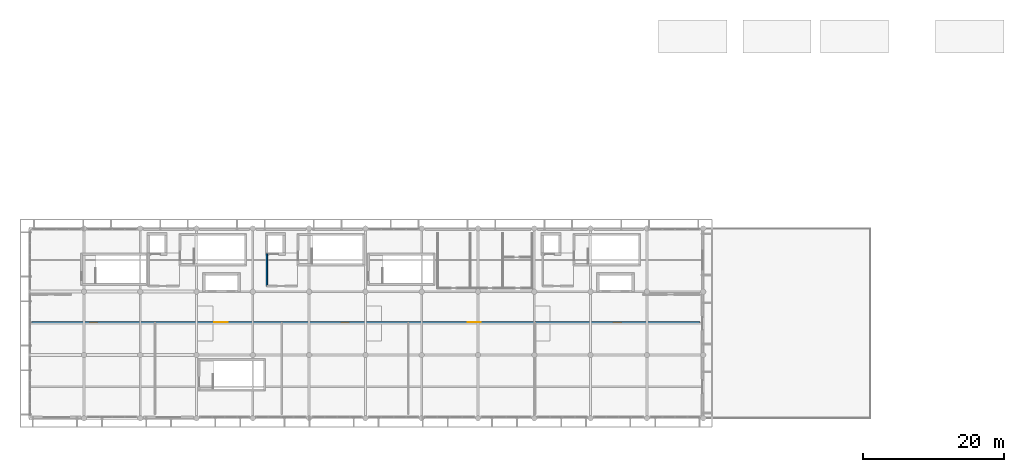
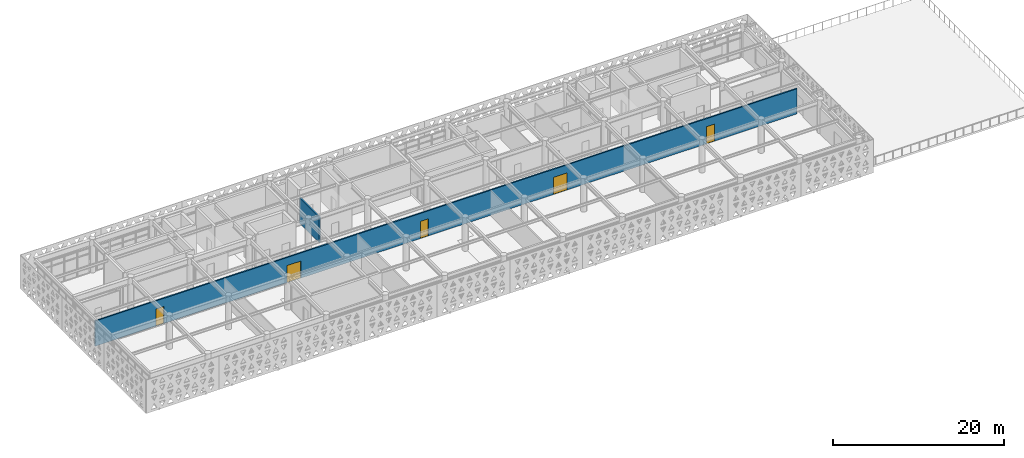
# One storey, part 19 of 26: 5 doors, 2 walls, 5 openings.
"""IFC4 building model written with IfcOpenShell, lengths in metres."""

from ifc_helpers import new_model, si_unit, direction, frame, frame_2d, origin, place, context, subcontext, project, spatial, rectangle, extrude, material, layer, layer_set, type_object, element, fill, save


model = new_model("IFC4")

# Units and contexts
model_context = context("Model", 3, precision=1e-05, world=origin(), true_north=direction((0.0, 1.0)))
body_context = subcontext(model_context, "Body", "Model", "MODEL_VIEW")
ifc_project = project(units=[si_unit("LENGTHUNIT", "METRE"), si_unit("AREAUNIT", "SQUARE_METRE"), si_unit("VOLUMEUNIT", "CUBIC_METRE"), si_unit("PLANEANGLEUNIT", "RADIAN"), si_unit("MASSUNIT", "GRAM", prefix="KILO")], contexts=[model_context])

# Site, building, storey
site_placement = place(None, origin())
site = spatial("IfcSite", under=ifc_project, at=site_placement, CompositionType="ELEMENT")
building_placement = place(site_placement, origin())
building = spatial("IfcBuilding", under=site, at=building_placement, Name="Tlacozan Convention Centre", CompositionType="ELEMENT")
storey_placement = place(building_placement, frame((0.0, 0.0, 21.0)))
storey = spatial("IfcBuildingStorey", under=building, at=storey_placement, Name="L04", CompositionType="ELEMENT", Elevation=21.0)

# Wall, openings, doors
ifc_material_1 = material(Name="Fire-Rated Gypsum Stud Partition Assembly")
ifc_layer_1 = layer(ifc_material_1, 0.179931640625)
ifc_layer_set_1 = layer_set([ifc_layer_1], Name="Fire-Rated Gypsum Stud Partition Assembly")
wall_type_1 = type_object("IfcWallType", Name="Corridor Rated Partition 180", PredefinedType="PARTITIONING", material=ifc_layer_set_1)
wall_1_placement = place(storey_placement, frame((0.60009765625, 13.64990234375, 0.0), z_axis=(0.0, 0.0, 1.0), x_axis=(1.0, 0.0, 0.0)))
wall_1 = element("IfcWall", 1, at=wall_1_placement, inside=storey, type_object=wall_type_1, Name="L04 Corridor Rated Partition 180 610", PredefinedType="PARTITIONING", context=body_context, shape_type="SweptSolid", body=[
    extrude(rectangle(XDim=94.89990234375, YDim=0.179931640625, at=frame_2d((47.449951171875, 0.0))), origin(), (0.0, 0.0, 1.0), 3.60009765625),
])
opening_1_placement = place(wall_1_placement, frame((8.199951171875, 0.0, 0.0)))
opening_1 = element("IfcOpeningElement", 2, at=opening_1_placement, cuts=wall_1, Name="Opening ID-13", PredefinedType="OPENING", context=body_context, shape_type="SweptSolid", body=[
    extrude(rectangle(XDim=1.10009765625, YDim=2.449951171875, at=frame_2d((0.550048828125, 1.22509765625))), frame((0.0, 0.099853515625, 0.0), z_axis=(0.0, -1.0, 0.0), x_axis=(1.0, 0.0, 0.0)), (0.0, 0.0, 1.0), 0.199951171875),
])
opening_2_placement = place(wall_1_placement, frame((25.949951171875, 0.0, 0.0)))
opening_2 = element("IfcOpeningElement", 3, at=opening_2_placement, cuts=wall_1, Name="Opening ID-17", PredefinedType="OPENING", context=body_context, shape_type="SweptSolid", body=[
    extrude(rectangle(XDim=1.85009765625, YDim=2.449951171875, at=frame_2d((0.925048828125, 1.22509765625))), frame((0.0, 0.099853515625, 0.0), z_axis=(0.0, -1.0, 0.0), x_axis=(1.0, 0.0, 0.0)), (0.0, 0.0, 1.0), 0.199951171875),
])
opening_3_placement = place(wall_1_placement, frame((43.949951171875, 0.0, 0.0)))
opening_3 = element("IfcOpeningElement", 4, at=opening_3_placement, cuts=wall_1, Name="Opening ID-13", PredefinedType="OPENING", context=body_context, shape_type="SweptSolid", body=[
    extrude(rectangle(XDim=1.10009765625, YDim=2.449951171875, at=frame_2d((0.550048828125, 1.22509765625))), frame((0.0, 0.099853515625, 0.0), z_axis=(0.0, -1.0, 0.0), x_axis=(1.0, 0.0, 0.0)), (0.0, 0.0, 1.0), 0.199951171875),
])
opening_4_placement = place(wall_1_placement, frame((61.949951171875, 0.0, 0.0)))
opening_4 = element("IfcOpeningElement", 5, at=opening_4_placement, cuts=wall_1, Name="Opening ID-17", PredefinedType="OPENING", context=body_context, shape_type="SweptSolid", body=[
    extrude(rectangle(XDim=1.85009765625, YDim=2.449951171875, at=frame_2d((0.925048828125, 1.22509765625))), frame((0.0, 0.099853515625, 0.0), z_axis=(0.0, -1.0, 0.0), x_axis=(1.0, 0.0, 0.0)), (0.0, 0.0, 1.0), 0.199951171875),
])
opening_5_placement = place(wall_1_placement, frame((82.64990234375, 0.0, 0.0)))
opening_5 = element("IfcOpeningElement", 6, at=opening_5_placement, cuts=wall_1, Name="Opening ID-13", PredefinedType="OPENING", context=body_context, shape_type="SweptSolid", body=[
    extrude(rectangle(XDim=1.10009765625, YDim=2.449951171875, at=frame_2d((0.550048828125, 1.22509765625))), frame((0.0, 0.099853515625, 0.0), z_axis=(0.0, -1.0, 0.0), x_axis=(1.0, 0.0, 0.0)), (0.0, 0.0, 1.0), 0.199951171875),
])
ifc_material_2 = material(Name="Acoustic Solid-Core Oak Veneer Door")
door_type_1 = type_object("IfcDoorType", Name="Boardroom Tall Single Door 1100x2450", OperationType="NOTDEFINED", PredefinedType="DOOR", material=ifc_material_2)
door_1_placement = place(opening_1_placement, origin())
door_1 = element("IfcDoor", 7, at=door_1_placement, inside=storey, type_object=door_type_1, Name="L04 Boardroom Tall Single Door 1100x2450 204", OperationType="SINGLE_SWING_LEFT", OverallHeight=2.449951171875, OverallWidth=1.10009765625, PredefinedType="DOOR", context=body_context, shape_type="SweptSolid", body=[
    extrude(rectangle(XDim=1.10009765625, YDim=2.449951171875, at=frame_2d((0.550048828125, 1.22509765625))), frame((0.0, 0.02490234375, 0.0), z_axis=(0.0, -1.0, 0.0), x_axis=(1.0, 0.0, 0.0)), (0.0, 0.0, 1.0), 0.050048828125),
])
fill(opening_1, door_1)
door_2_placement = place(opening_3_placement, origin())
door_2 = element("IfcDoor", 8, at=door_2_placement, inside=storey, type_object=door_type_1, Name="L04 Boardroom Tall Single Door 1100x2450 206", OperationType="SINGLE_SWING_LEFT", OverallHeight=2.449951171875, OverallWidth=1.10009765625, PredefinedType="DOOR", context=body_context, shape_type="SweptSolid", body=[
    extrude(rectangle(XDim=1.10009765625, YDim=2.449951171875, at=frame_2d((0.550048828125, 1.22509765625))), frame((0.0, 0.02490234375, 0.0), z_axis=(0.0, -1.0, 0.0), x_axis=(1.0, 0.0, 0.0)), (0.0, 0.0, 1.0), 0.050048828125),
])
fill(opening_3, door_2)
door_3_placement = place(opening_5_placement, origin())
door_3 = element("IfcDoor", 9, at=door_3_placement, inside=storey, type_object=door_type_1, Name="L04 Boardroom Tall Single Door 1100x2450 208", OperationType="SINGLE_SWING_LEFT", OverallHeight=2.449951171875, OverallWidth=1.10009765625, PredefinedType="DOOR", context=body_context, shape_type="SweptSolid", body=[
    extrude(rectangle(XDim=1.10009765625, YDim=2.449951171875, at=frame_2d((0.550048828125, 1.22509765625))), frame((0.0, 0.02490234375, 0.0), z_axis=(0.0, -1.0, 0.0), x_axis=(1.0, 0.0, 0.0)), (0.0, 0.0, 1.0), 0.050048828125),
])
fill(opening_5, door_3)
door_type_2 = type_object("IfcDoorType", Name="VIP Lounge Double Door 1850x2450", OperationType="DOUBLE_DOOR_SINGLE_SWING", PredefinedType="DOOR", material=ifc_material_2)
door_4_placement = place(opening_2_placement, origin())
door_4 = element("IfcDoor", 10, at=door_4_placement, inside=storey, type_object=door_type_2, Name="L04 VIP Lounge Double Door 1850x2450 205", OperationType="DOUBLE_DOOR_SINGLE_SWING", OverallHeight=2.449951171875, OverallWidth=1.85009765625, PredefinedType="DOOR", context=body_context, shape_type="SweptSolid", body=[
    extrude(rectangle(XDim=1.85009765625, YDim=2.449951171875, at=frame_2d((0.925048828125, 1.22509765625))), frame((0.0, 0.02490234375, 0.0), z_axis=(0.0, -1.0, 0.0), x_axis=(1.0, 0.0, 0.0)), (0.0, 0.0, 1.0), 0.050048828125),
])
fill(opening_2, door_4)
door_5_placement = place(opening_4_placement, origin())
door_5 = element("IfcDoor", 11, at=door_5_placement, inside=storey, type_object=door_type_2, Name="L04 VIP Lounge Double Door 1850x2450 207", OperationType="DOUBLE_DOOR_SINGLE_SWING", OverallHeight=2.449951171875, OverallWidth=1.85009765625, PredefinedType="DOOR", context=body_context, shape_type="SweptSolid", body=[
    extrude(rectangle(XDim=1.85009765625, YDim=2.449951171875, at=frame_2d((0.925048828125, 1.22509765625))), frame((0.0, 0.02490234375, 0.0), z_axis=(0.0, -1.0, 0.0), x_axis=(1.0, 0.0, 0.0)), (0.0, 0.0, 1.0), 0.050048828125),
])
fill(opening_4, door_5)

# Wall
ifc_layer_2 = layer(ifc_material_1, 0.2099609375)
ifc_layer_set_2 = layer_set([ifc_layer_2], Name="Fire-Rated Gypsum Stud Partition Assembly")
wall_type_2 = type_object("IfcWallType", Name="Firefighting Lobby Rated Wall 210", PredefinedType="PARTITIONING", material=ifc_layer_set_2)
wall_2_placement = place(storey_placement, frame((34.0, 18.800048828125, 0.0), z_axis=(0.0, 0.0, 1.0), x_axis=(0.0, 1.0, 0.0)))
element("IfcWall", 12, at=wall_2_placement, inside=storey, type_object=wall_type_2, Name="L04 Firefighting Lobby Rated Wall 210 224", PredefinedType="PARTITIONING", context=body_context, shape_type="SweptSolid", body=[
    extrude(rectangle(XDim=4.599853515625, YDim=0.2099609375, at=frame_2d((2.2998046875, 0.0))), origin(), (0.0, 0.0, 1.0), 3.60009765625),
])

save(model, "model.ifc")
